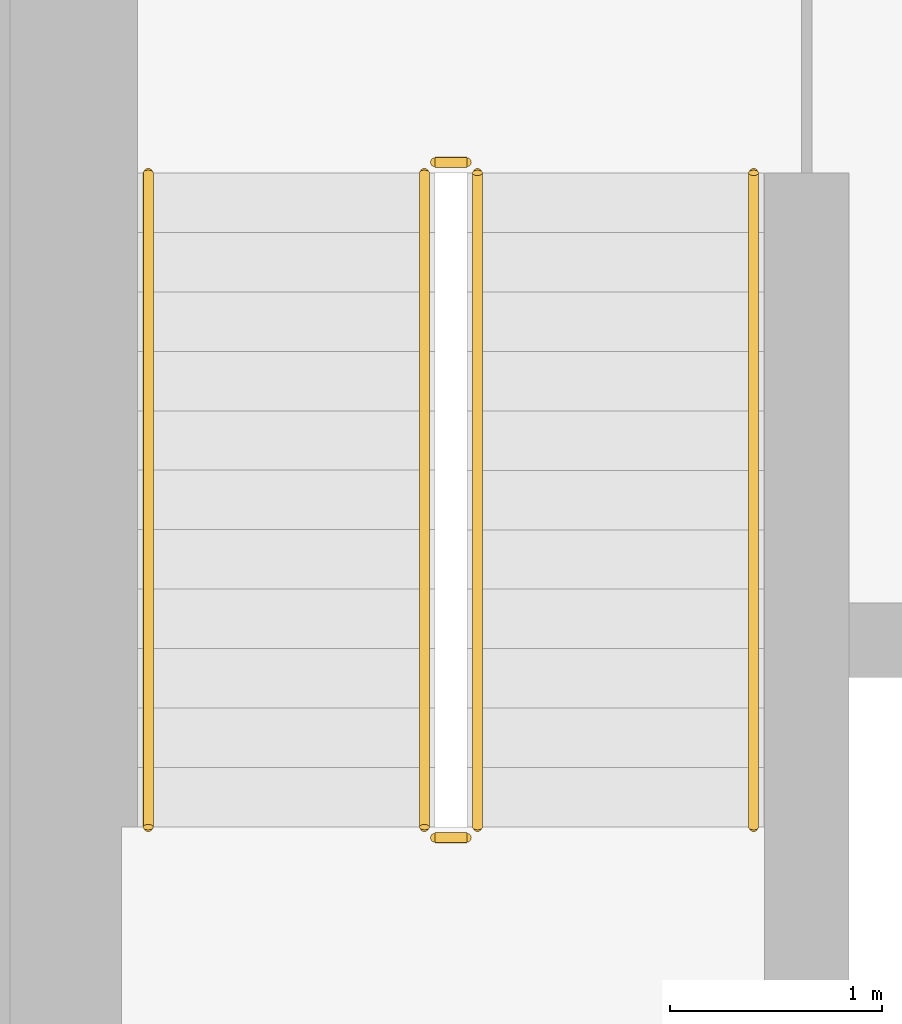
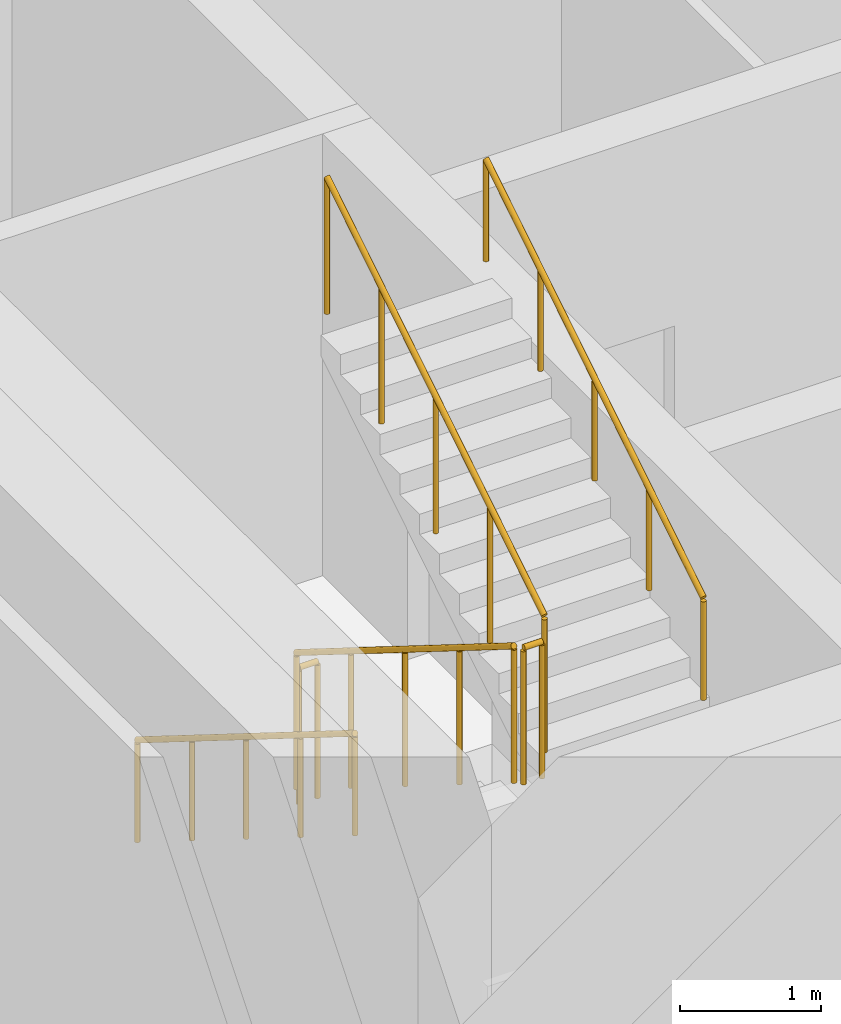
# One storey, part 19 of 24: 6 railings.
"""IFC4 building model written with IfcOpenShell, lengths in metres."""

from ifc_helpers import new_model, si_unit, direction, frame, origin, origin_2d, place, context, subcontext, project, spatial, circle, extrude, material, type_object, element, save


model = new_model("IFC4")

# Units and contexts
model_context = context("Model", 3, precision=1e-05, world=origin(), true_north=direction((0.0, 1.0)))
body_context = subcontext(model_context, "Body", "Model", "MODEL_VIEW")
ifc_project = project(units=[si_unit("LENGTHUNIT", "METRE"), si_unit("AREAUNIT", "SQUARE_METRE"), si_unit("VOLUMEUNIT", "CUBIC_METRE"), si_unit("PLANEANGLEUNIT", "RADIAN"), si_unit("MASSUNIT", "GRAM", prefix="KILO")], contexts=[model_context])

# Site, building, storey
site_placement = place(None, origin())
site = spatial("IfcSite", under=ifc_project, at=site_placement, CompositionType="ELEMENT")
building_placement = place(site_placement, origin())
building = spatial("IfcBuilding", under=site, at=building_placement, Name="Dongbaek Canopy Tower", CompositionType="ELEMENT")
storey_placement = place(building_placement, frame((0.0, 0.0, 294.199951171875)))
storey = spatial("IfcBuildingStorey", under=building, at=storey_placement, Name="L62", CompositionType="ELEMENT", Elevation=294.199951171875)

# Railings
ifc_material_1 = material(Name="Stainless steel tube and balusters", Category="steel")
railing_type_1 = type_object("IfcRailingType", Name="Stair guard 1200", PredefinedType="GUARDRAIL", material=ifc_material_1)
railing_1_placement = place(storey_placement, frame((-11.449951171875, -4.699951171875, 0.175048828125)))
element("IfcRailing", 1, at=railing_1_placement, inside=storey, type_object=railing_type_1, Name="L62 ST-D stair guard 1", PredefinedType="GUARDRAIL", context=body_context, shape_type="SweptSolid", body=[
    extrude(circle(Radius=0.02392578125, at=origin_2d()), frame((0.0, 0.0, 1.17578125), z_axis=(0.0, -0.847998304005, 0.529998940003), x_axis=(1.0, 0.0, 0.0)), (0.0, 0.0, 1.0), 3.632080078125),
    extrude(circle(Radius=0.02099609375, at=origin_2d()), origin(), (0.0, 0.0, 1.0), 1.15185546875),
    extrude(circle(Radius=0.02099609375, at=origin_2d()), frame((0.0, -0.77001953125, 0.481201171875)), (0.0, 0.0, 1.0), 1.15185546875),
    extrude(circle(Radius=0.02099609375, at=origin_2d()), frame((0.0, -1.5400390625, 0.96240234375)), (0.0, 0.0, 1.0), 1.15185546875),
    extrude(circle(Radius=0.02099609375, at=origin_2d()), frame((0.0, -2.31005859375, 1.44384765625)), (0.0, 0.0, 1.0), 1.15185546875),
    extrude(circle(Radius=0.02099609375, at=origin_2d()), frame((0.0, -3.080078125, 1.925048828125)), (0.0, 0.0, 1.0), 1.15185546875),
])
railing_2_placement = place(storey_placement, frame((-11.39990234375, -7.830078125, 2.10009765625)))
element("IfcRailing", 2, at=railing_2_placement, inside=storey, type_object=railing_type_1, Name="L62 ST-D stair guard 2", PredefinedType="GUARDRAIL", context=body_context, shape_type="SweptSolid", body=[
    extrude(circle(Radius=0.02392578125, at=origin_2d()), frame((0.0, 0.0, 1.17578125), z_axis=(1.0, 0.0, 0.0), x_axis=(0.0, 1.0, 0.0)), (0.0, 0.0, 1.0), 0.14990234375),
    extrude(circle(Radius=0.02099609375, at=origin_2d()), origin(), (0.0, 0.0, 1.0), 1.15185546875),
    extrude(circle(Radius=0.02099609375, at=origin_2d()), frame((0.14990234375, 0.0, 0.0)), (0.0, 0.0, 1.0), 1.15185546875),
])
railing_3_placement = place(storey_placement, frame((-11.199951171875, -7.780029296875, 2.275146484375)))
element("IfcRailing", 3, at=railing_3_placement, inside=storey, type_object=railing_type_1, Name="L62 ST-D stair guard 3", PredefinedType="GUARDRAIL", context=body_context, shape_type="SweptSolid", body=[
    extrude(circle(Radius=0.02392578125, at=origin_2d()), frame((0.0, 0.0, 1.17578125), z_axis=(0.0, 0.848028513186, 0.529950602248), x_axis=(-1.0, 0.0, 0.0)), (0.0, 0.0, 1.0), 3.632080078125),
    extrude(circle(Radius=0.02099609375, at=origin_2d()), origin(), (0.0, 0.0, 1.0), 1.15185546875),
    extrude(circle(Radius=0.02099609375, at=origin_2d()), frame((0.0, 0.77001953125, 0.481201171875)), (0.0, 0.0, 1.0), 1.15185546875),
    extrude(circle(Radius=0.02099609375, at=origin_2d()), frame((0.0, 1.5400390625, 0.96240234375)), (0.0, 0.0, 1.0), 1.15185546875),
    extrude(circle(Radius=0.02099609375, at=origin_2d()), frame((0.0, 2.31005859375, 1.443603515625)), (0.0, 0.0, 1.0), 1.15185546875),
    extrude(circle(Radius=0.02099609375, at=origin_2d()), frame((0.0, 3.080078125, 1.9248046875)), (0.0, 0.0, 1.0), 1.15185546875),
])
railing_4_placement = place(storey_placement, frame((-11.39990234375, -4.64990234375, 0.0)))
element("IfcRailing", 4, at=railing_4_placement, inside=storey, type_object=railing_type_1, Name="L62 ST-D stair guard 4", PredefinedType="GUARDRAIL", context=body_context, shape_type="SweptSolid", body=[
    extrude(circle(Radius=0.02392578125, at=origin_2d()), frame((0.0, 0.0, 1.17578125), z_axis=(1.0, 0.0, 0.0), x_axis=(0.0, 1.0, 0.0)), (0.0, 0.0, 1.0), 0.14990234375),
    extrude(circle(Radius=0.02099609375, at=origin_2d()), origin(), (0.0, 0.0, 1.0), 1.15185546875),
    extrude(circle(Radius=0.02099609375, at=origin_2d()), frame((0.14990234375, 0.0, 0.0)), (0.0, 0.0, 1.0), 1.15185546875),
])
ifc_material_2 = material(Name="Stainless steel tube", Category="steel")
railing_type_2 = type_object("IfcRailingType", Name="Stair handrail 900", PredefinedType="HANDRAIL", material=ifc_material_2)
railing_5_placement = place(storey_placement, frame((-12.75, -4.699951171875, 0.175048828125)))
element("IfcRailing", 5, at=railing_5_placement, inside=storey, type_object=railing_type_2, Name="L62 ST-D stair handrail 1", PredefinedType="HANDRAIL", context=body_context, shape_type="SweptSolid", body=[
    extrude(circle(Radius=0.02392578125, at=origin_2d()), frame((0.0, 0.0, 0.8759765625), z_axis=(0.0, -0.847998304005, 0.529998940003), x_axis=(1.0, 0.0, 0.0)), (0.0, 0.0, 1.0), 3.632080078125),
    extrude(circle(Radius=0.02099609375, at=origin_2d()), origin(), (0.0, 0.0, 1.0), 0.851806640625),
    extrude(circle(Radius=0.02099609375, at=origin_2d()), frame((0.0, -0.77001953125, 0.481201171875)), (0.0, 0.0, 1.0), 0.851806640625),
    extrude(circle(Radius=0.02099609375, at=origin_2d()), frame((0.0, -1.5400390625, 0.96240234375)), (0.0, 0.0, 1.0), 0.851806640625),
    extrude(circle(Radius=0.02099609375, at=origin_2d()), frame((0.0, -2.31005859375, 1.44384765625)), (0.0, 0.0, 1.0), 0.851806640625),
    extrude(circle(Radius=0.02099609375, at=origin_2d()), frame((0.0, -3.080078125, 1.925048828125)), (0.0, 0.0, 1.0), 0.851806640625),
])
railing_6_placement = place(storey_placement, frame((-9.89990234375, -7.780029296875, 2.275146484375)))
element("IfcRailing", 6, at=railing_6_placement, inside=storey, type_object=railing_type_2, Name="L62 ST-D stair handrail 2", PredefinedType="HANDRAIL", context=body_context, shape_type="SweptSolid", body=[
    extrude(circle(Radius=0.02392578125, at=origin_2d()), frame((0.0, 0.0, 0.8759765625), z_axis=(0.0, 0.848028513186, 0.529950602248), x_axis=(-1.0, 0.0, 0.0)), (0.0, 0.0, 1.0), 3.632080078125),
    extrude(circle(Radius=0.02099609375, at=origin_2d()), origin(), (0.0, 0.0, 1.0), 0.851806640625),
    extrude(circle(Radius=0.02099609375, at=origin_2d()), frame((0.0, 0.77001953125, 0.481201171875)), (0.0, 0.0, 1.0), 0.851806640625),
    extrude(circle(Radius=0.02099609375, at=origin_2d()), frame((0.0, 1.5400390625, 0.96240234375)), (0.0, 0.0, 1.0), 0.851806640625),
    extrude(circle(Radius=0.02099609375, at=origin_2d()), frame((0.0, 2.31005859375, 1.443603515625)), (0.0, 0.0, 1.0), 0.851806640625),
    extrude(circle(Radius=0.02099609375, at=origin_2d()), frame((0.0, 3.080078125, 1.9248046875)), (0.0, 0.0, 1.0), 0.851806640625),
])

save(model, "model.ifc")
